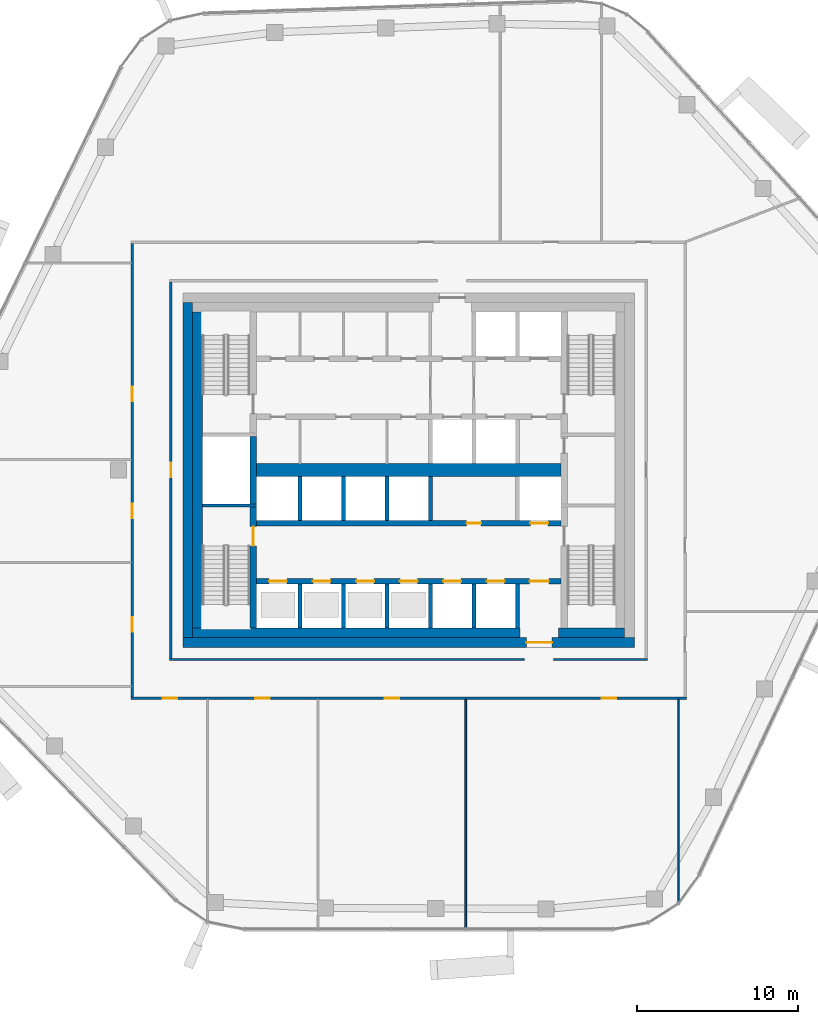
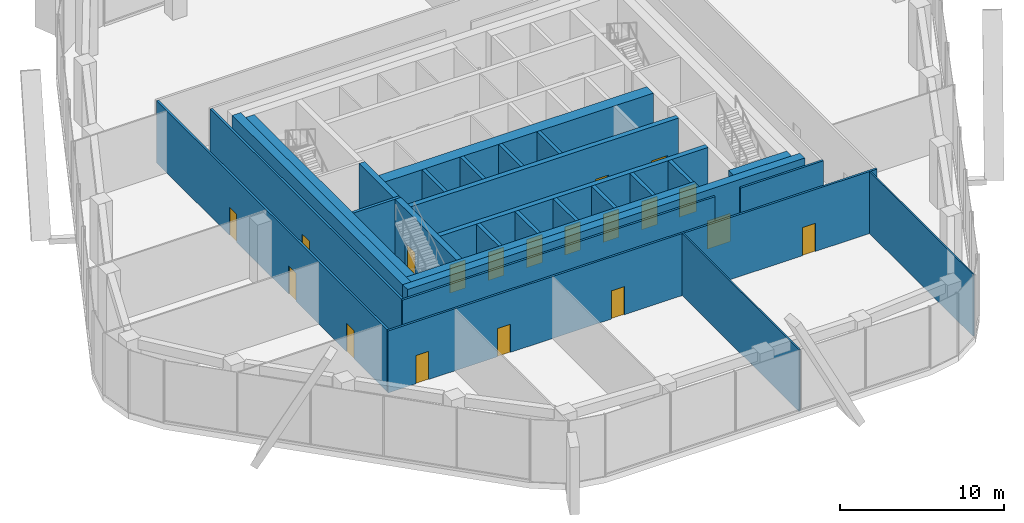
# One storey, part 10 of 20: 28 walls, 19 doors, 19 openings.
"""IFC4 building model written with IfcOpenShell, lengths in metres."""

from ifc_helpers import new_model, si_unit, direction, frame, frame_2d, origin, place, context, subcontext, project, spatial, rectangle, extrude, material, layer, layer_set, type_object, element, fill, save


model = new_model("IFC4")

# Units and contexts
model_context = context("Model", 3, precision=1e-05, world=origin(), true_north=direction((0.0, 1.0)))
body_context = subcontext(model_context, "Body", "Model", "MODEL_VIEW")
ifc_project = project(units=[si_unit("LENGTHUNIT", "METRE"), si_unit("AREAUNIT", "SQUARE_METRE"), si_unit("VOLUMEUNIT", "CUBIC_METRE"), si_unit("PLANEANGLEUNIT", "RADIAN"), si_unit("MASSUNIT", "GRAM", prefix="KILO")], contexts=[model_context])

# Site, building, storey
site_placement = place(None, origin())
site = spatial("IfcSite", under=ifc_project, at=site_placement, CompositionType="ELEMENT")
building_placement = place(site_placement, origin())
building = spatial("IfcBuilding", under=site, at=building_placement, Name="Dongbaek Canopy Tower", CompositionType="ELEMENT")
storey_placement = place(building_placement, frame((0.0, 0.0, 289.199951171875)))
storey = spatial("IfcBuildingStorey", under=building, at=storey_placement, Name="L61", CompositionType="ELEMENT", Elevation=289.199951171875)

# Wall
ifc_material_1 = material(Name="Concrete C60/75", Category="concrete")
ifc_layer_1 = layer(ifc_material_1, 0.800048828125)
ifc_layer_set_1 = layer_set([ifc_layer_1], Name="Core central wall 800 Concrete C60/75")
wall_type_1 = type_object("IfcWallType", Name="Core central wall 800 Concrete C60/75", PredefinedType="SHEAR", material=ifc_layer_set_1)
wall_1_placement = place(storey_placement, frame((-9.449951171875, 0.0, 0.0), z_axis=(0.0, 0.0, 1.0), x_axis=(1.0, 0.0, 0.0)))
element("IfcWall", 1, at=wall_1_placement, inside=storey, type_object=wall_type_1, Name="Core wall", PredefinedType="SHEAR", context=body_context, shape_type="SweptSolid", body=[
    extrude(rectangle(XDim=18.89990234375, YDim=0.800048828125, at=frame_2d((9.449951171875, 0.0))), origin(), (0.0, 0.0, 1.0), 4.6201171875),
])

# Wall, openings, doors
ifc_material_2 = material(Name="Concrete C60/75", Category="concrete")
ifc_layer_2 = layer(ifc_material_2, 0.35009765625)
ifc_layer_set_2 = layer_set([ifc_layer_2], Name="Core lobby wall 350 Concrete C60/75")
wall_type_2 = type_object("IfcWallType", Name="Core lobby wall 350 Concrete C60/75", PredefinedType="SHEAR", material=ifc_layer_set_2)
wall_2_placement = place(storey_placement, frame((-9.449951171875, -3.300048828125, 0.0), z_axis=(0.0, 0.0, 1.0), x_axis=(1.0, 0.0, 0.0)))
wall_2 = element("IfcWall", 2, at=wall_2_placement, inside=storey, type_object=wall_type_2, Name="Core wall", PredefinedType="SHEAR", context=body_context, shape_type="SweptSolid", body=[
    extrude(rectangle(XDim=18.89990234375, YDim=0.35009765625, at=frame_2d((9.449951171875, 0.0))), origin(), (0.0, 0.0, 1.0), 4.6201171875),
])
opening_1_placement = place(wall_2_placement, frame((17.0, 0.0, 0.0)))
opening_1 = element("IfcOpeningElement", 3, at=opening_1_placement, cuts=wall_2, Name="Opening L61-D023", PredefinedType="OPENING", context=body_context, shape_type="SweptSolid", body=[
    extrude(rectangle(XDim=1.10009765625, YDim=2.10009765625, at=frame_2d((0.550048828125, 1.050048828125))), frame((0.0, 0.18505859375, 0.0), z_axis=(0.0, -1.0, 0.0), x_axis=(1.0, 0.0, 0.0)), (0.0, 0.0, 1.0), 0.3701171875),
])
opening_2_placement = place(wall_2_placement, frame((13.050048828125, 0.0, 0.0)))
opening_2 = element("IfcOpeningElement", 4, at=opening_2_placement, cuts=wall_2, Name="Opening L61-D039", PredefinedType="OPENING", context=body_context, shape_type="SweptSolid", body=[
    extrude(rectangle(XDim=0.89990234375, YDim=2.10009765625, at=frame_2d((0.449951171875, 1.050048828125))), frame((0.0, 0.18505859375, 0.0), z_axis=(0.0, -1.0, 0.0), x_axis=(1.0, 0.0, 0.0)), (0.0, 0.0, 1.0), 0.3701171875),
])
ifc_material_3 = material(Name="Steel", Category="steel")
door_type_1 = type_object("IfcDoorType", Name="Core room door 900 x 2100", OperationType="SINGLE_SWING_LEFT", PredefinedType="DOOR", material=ifc_material_3)
door_1_placement = place(opening_2_placement, origin())
door_1 = element("IfcDoor", 5, at=door_1_placement, inside=storey, type_object=door_type_1, Name="Door L61-D039", OperationType="SINGLE_SWING_LEFT", OverallHeight=2.10009765625, OverallWidth=0.89990234375, PredefinedType="DOOR", context=body_context, shape_type="SweptSolid", body=[
    extrude(rectangle(XDim=0.89990234375, YDim=2.10009765625, at=frame_2d((0.449951171875, 1.050048828125))), frame((0.0, 0.02490234375, 0.0), z_axis=(0.0, -1.0, 0.0), x_axis=(1.0, 0.0, 0.0)), (0.0, 0.0, 1.0), 0.050048828125),
])
fill(opening_2, door_1)
ifc_material_4 = material(Name="Stainless steel", Category="steel")
door_type_2 = type_object("IfcDoorType", Name="Lift landing door 1100 x 2100", OperationType="DOUBLE_DOOR_SLIDING", PredefinedType="DOOR", material=ifc_material_4)
door_2_placement = place(opening_1_placement, origin())
door_2 = element("IfcDoor", 6, at=door_2_placement, inside=storey, type_object=door_type_2, Name="Landing door SV2", OperationType="DOUBLE_DOOR_SLIDING", OverallHeight=2.10009765625, OverallWidth=1.10009765625, PredefinedType="DOOR", context=body_context, shape_type="SweptSolid", body=[
    extrude(rectangle(XDim=1.10009765625, YDim=2.10009765625, at=frame_2d((0.550048828125, 1.050048828125))), frame((0.0, 0.02490234375, 0.0), z_axis=(0.0, -1.0, 0.0), x_axis=(1.0, 0.0, 0.0)), (0.0, 0.0, 1.0), 0.050048828125),
])
fill(opening_1, door_2)

wall_3_placement = place(storey_placement, frame((9.449951171875, -6.89990234375, 0.0), z_axis=(0.0, 0.0, 1.0), x_axis=(-1.0, 0.0, 0.0)))
wall_3 = element("IfcWall", 7, at=wall_3_placement, inside=storey, type_object=wall_type_2, Name="Core wall", PredefinedType="SHEAR", context=body_context, shape_type="SweptSolid", body=[
    extrude(rectangle(XDim=18.89990234375, YDim=0.35009765625, at=frame_2d((9.449951171875, 0.0))), origin(), (0.0, 0.0, 1.0), 4.6201171875),
])
opening_3_placement = place(wall_3_placement, frame((17.0, 0.0, 0.0)))
opening_3 = element("IfcOpeningElement", 8, at=opening_3_placement, cuts=wall_3, Name="Opening L61-D024", PredefinedType="OPENING", context=body_context, shape_type="SweptSolid", body=[
    extrude(rectangle(XDim=1.10009765625, YDim=2.10009765625, at=frame_2d((0.550048828125, 1.050048828125))), frame((0.0, 0.18505859375, 0.0), z_axis=(0.0, -1.0, 0.0), x_axis=(1.0, 0.0, 0.0)), (0.0, 0.0, 1.0), 0.3701171875),
])
opening_4_placement = place(wall_3_placement, frame((14.300048828125, 0.0, 0.0)))
opening_4 = element("IfcOpeningElement", 9, at=opening_4_placement, cuts=wall_3, Name="Opening L61-D025", PredefinedType="OPENING", context=body_context, shape_type="SweptSolid", body=[
    extrude(rectangle(XDim=1.10009765625, YDim=2.10009765625, at=frame_2d((0.550048828125, 1.050048828125))), frame((0.0, 0.18505859375, 0.0), z_axis=(0.0, -1.0, 0.0), x_axis=(1.0, 0.0, 0.0)), (0.0, 0.0, 1.0), 0.3701171875),
])
opening_5_placement = place(wall_3_placement, frame((11.60009765625, 0.0, 0.0)))
opening_5 = element("IfcOpeningElement", 10, at=opening_5_placement, cuts=wall_3, Name="Opening L61-D026", PredefinedType="OPENING", context=body_context, shape_type="SweptSolid", body=[
    extrude(rectangle(XDim=1.10009765625, YDim=2.10009765625, at=frame_2d((0.550048828125, 1.050048828125))), frame((0.0, 0.18505859375, 0.0), z_axis=(0.0, -1.0, 0.0), x_axis=(1.0, 0.0, 0.0)), (0.0, 0.0, 1.0), 0.3701171875),
])
opening_6_placement = place(wall_3_placement, frame((8.89990234375, 0.0, 0.0)))
opening_6 = element("IfcOpeningElement", 11, at=opening_6_placement, cuts=wall_3, Name="Opening L61-D027", PredefinedType="OPENING", context=body_context, shape_type="SweptSolid", body=[
    extrude(rectangle(XDim=1.10009765625, YDim=2.10009765625, at=frame_2d((0.550048828125, 1.050048828125))), frame((0.0, 0.18505859375, 0.0), z_axis=(0.0, -1.0, 0.0), x_axis=(1.0, 0.0, 0.0)), (0.0, 0.0, 1.0), 0.3701171875),
])
opening_7_placement = place(wall_3_placement, frame((6.199951171875, 0.0, 0.0)))
opening_7 = element("IfcOpeningElement", 12, at=opening_7_placement, cuts=wall_3, Name="Opening L61-D028", PredefinedType="OPENING", context=body_context, shape_type="SweptSolid", body=[
    extrude(rectangle(XDim=1.10009765625, YDim=2.10009765625, at=frame_2d((0.550048828125, 1.050048828125))), frame((0.0, 0.18505859375, 0.0), z_axis=(0.0, -1.0, 0.0), x_axis=(1.0, 0.0, 0.0)), (0.0, 0.0, 1.0), 0.3701171875),
])
opening_8_placement = place(wall_3_placement, frame((3.5, 0.0, 0.0)))
opening_8 = element("IfcOpeningElement", 13, at=opening_8_placement, cuts=wall_3, Name="Opening L61-D029", PredefinedType="OPENING", context=body_context, shape_type="SweptSolid", body=[
    extrude(rectangle(XDim=1.10009765625, YDim=2.10009765625, at=frame_2d((0.550048828125, 1.050048828125))), frame((0.0, 0.18505859375, 0.0), z_axis=(0.0, -1.0, 0.0), x_axis=(1.0, 0.0, 0.0)), (0.0, 0.0, 1.0), 0.3701171875),
])
opening_9_placement = place(wall_3_placement, frame((0.75, 0.0, 0.0)))
opening_9 = element("IfcOpeningElement", 14, at=opening_9_placement, cuts=wall_3, Name="Opening L61-D031", PredefinedType="OPENING", context=body_context, shape_type="SweptSolid", body=[
    extrude(rectangle(XDim=1.199951171875, YDim=2.10009765625, at=frame_2d((0.60009765625, 1.050048828125))), frame((0.0, 0.18505859375, 0.0), z_axis=(0.0, -1.0, 0.0), x_axis=(1.0, 0.0, 0.0)), (0.0, 0.0, 1.0), 0.3701171875),
])
ifc_material_5 = material(Name="Steel", Category="steel")
door_type_3 = type_object("IfcDoorType", Name="Fire lobby door 1200 x 2100", OperationType="SINGLE_SWING_LEFT", PredefinedType="DOOR", material=ifc_material_5)
door_3_placement = place(opening_9_placement, origin())
door_3 = element("IfcDoor", 15, at=door_3_placement, inside=storey, type_object=door_type_3, Name="Door L61-D031", OperationType="SINGLE_SWING_LEFT", OverallHeight=2.10009765625, OverallWidth=1.199951171875, PredefinedType="DOOR", context=body_context, shape_type="SweptSolid", body=[
    extrude(rectangle(XDim=1.199951171875, YDim=2.10009765625, at=frame_2d((0.60009765625, 1.050048828125))), frame((0.0, 0.02490234375, 0.0), z_axis=(0.0, -1.0, 0.0), x_axis=(1.0, 0.0, 0.0)), (0.0, 0.0, 1.0), 0.050048828125),
])
fill(opening_9, door_3)
door_4_placement = place(opening_3_placement, origin())
door_4 = element("IfcDoor", 16, at=door_4_placement, inside=storey, type_object=door_type_2, Name="Landing door HR1", OperationType="DOUBLE_DOOR_SLIDING", OverallHeight=2.10009765625, OverallWidth=1.10009765625, PredefinedType="DOOR", context=body_context, shape_type="SweptSolid", body=[
    extrude(rectangle(XDim=1.10009765625, YDim=2.10009765625, at=frame_2d((0.550048828125, 1.050048828125))), frame((0.0, 0.02490234375, 0.0), z_axis=(0.0, -1.0, 0.0), x_axis=(1.0, 0.0, 0.0)), (0.0, 0.0, 1.0), 0.050048828125),
])
fill(opening_3, door_4)
door_5_placement = place(opening_4_placement, origin())
door_5 = element("IfcDoor", 17, at=door_5_placement, inside=storey, type_object=door_type_2, Name="Landing door HR2", OperationType="DOUBLE_DOOR_SLIDING", OverallHeight=2.10009765625, OverallWidth=1.10009765625, PredefinedType="DOOR", context=body_context, shape_type="SweptSolid", body=[
    extrude(rectangle(XDim=1.10009765625, YDim=2.10009765625, at=frame_2d((0.550048828125, 1.050048828125))), frame((0.0, 0.02490234375, 0.0), z_axis=(0.0, -1.0, 0.0), x_axis=(1.0, 0.0, 0.0)), (0.0, 0.0, 1.0), 0.050048828125),
])
fill(opening_4, door_5)
door_6_placement = place(opening_5_placement, origin())
door_6 = element("IfcDoor", 18, at=door_6_placement, inside=storey, type_object=door_type_2, Name="Landing door HR3", OperationType="DOUBLE_DOOR_SLIDING", OverallHeight=2.10009765625, OverallWidth=1.10009765625, PredefinedType="DOOR", context=body_context, shape_type="SweptSolid", body=[
    extrude(rectangle(XDim=1.10009765625, YDim=2.10009765625, at=frame_2d((0.550048828125, 1.050048828125))), frame((0.0, 0.02490234375, 0.0), z_axis=(0.0, -1.0, 0.0), x_axis=(1.0, 0.0, 0.0)), (0.0, 0.0, 1.0), 0.050048828125),
])
fill(opening_5, door_6)
door_7_placement = place(opening_6_placement, origin())
door_7 = element("IfcDoor", 19, at=door_7_placement, inside=storey, type_object=door_type_2, Name="Landing door HR4", OperationType="DOUBLE_DOOR_SLIDING", OverallHeight=2.10009765625, OverallWidth=1.10009765625, PredefinedType="DOOR", context=body_context, shape_type="SweptSolid", body=[
    extrude(rectangle(XDim=1.10009765625, YDim=2.10009765625, at=frame_2d((0.550048828125, 1.050048828125))), frame((0.0, 0.02490234375, 0.0), z_axis=(0.0, -1.0, 0.0), x_axis=(1.0, 0.0, 0.0)), (0.0, 0.0, 1.0), 0.050048828125),
])
fill(opening_6, door_7)
door_8_placement = place(opening_7_placement, origin())
door_8 = element("IfcDoor", 20, at=door_8_placement, inside=storey, type_object=door_type_2, Name="Landing door SH3", OperationType="DOUBLE_DOOR_SLIDING", OverallHeight=2.10009765625, OverallWidth=1.10009765625, PredefinedType="DOOR", context=body_context, shape_type="SweptSolid", body=[
    extrude(rectangle(XDim=1.10009765625, YDim=2.10009765625, at=frame_2d((0.550048828125, 1.050048828125))), frame((0.0, 0.02490234375, 0.0), z_axis=(0.0, -1.0, 0.0), x_axis=(1.0, 0.0, 0.0)), (0.0, 0.0, 1.0), 0.050048828125),
])
fill(opening_7, door_8)
door_9_placement = place(opening_8_placement, origin())
door_9 = element("IfcDoor", 21, at=door_9_placement, inside=storey, type_object=door_type_2, Name="Landing door SH4", OperationType="DOUBLE_DOOR_SLIDING", OverallHeight=2.10009765625, OverallWidth=1.10009765625, PredefinedType="DOOR", context=body_context, shape_type="SweptSolid", body=[
    extrude(rectangle(XDim=1.10009765625, YDim=2.10009765625, at=frame_2d((0.550048828125, 1.050048828125))), frame((0.0, 0.02490234375, 0.0), z_axis=(0.0, -1.0, 0.0), x_axis=(1.0, 0.0, 0.0)), (0.0, 0.0, 1.0), 0.050048828125),
])
fill(opening_8, door_9)

# Wall, opening, door
ifc_material_6 = material(Name="Concrete C80/95", Category="concrete")
ifc_layer_3 = layer(ifc_material_6, 0.60009765625)
ifc_layer_set_3 = layer_set([ifc_layer_3], Name="Core outer wall 600 Concrete C80/95")
wall_type_3 = type_object("IfcWallType", Name="Core outer wall 600 Concrete C80/95", PredefinedType="SHEAR", material=ifc_layer_set_3)
wall_4_placement = place(storey_placement, frame((14.0, -10.699951171875, 0.0), z_axis=(0.0, 0.0, 1.0), x_axis=(-1.0, 0.0, 0.0)))
wall_4 = element("IfcWall", 22, at=wall_4_placement, inside=storey, type_object=wall_type_3, Name="Core wall", PredefinedType="SHEAR", context=body_context, shape_type="SweptSolid", body=[
    extrude(rectangle(XDim=28.0, YDim=0.60009765625, at=frame_2d((14.0, 0.0))), origin(), (0.0, 0.0, 1.0), 4.6201171875),
])
opening_10_placement = place(wall_4_placement, frame((5.10009765625, 0.0, 0.0)))
opening_10 = element("IfcOpeningElement", 23, at=opening_10_placement, cuts=wall_4, Name="Opening L61-D030", PredefinedType="OPENING", context=body_context, shape_type="SweptSolid", body=[
    extrude(rectangle(XDim=1.60009765625, YDim=2.10009765625, at=frame_2d((0.800048828125, 1.050048828125))), frame((0.0, 0.31005859375, 0.0), z_axis=(0.0, -1.0, 0.0), x_axis=(1.0, 0.0, 0.0)), (0.0, 0.0, 1.0), 0.6201171875),
])
ifc_material_7 = material(Name="Steel", Category="steel")
door_type_4 = type_object("IfcDoorType", Name="Core exit door 1600 x 2100", OperationType="DOUBLE_DOOR_SINGLE_SWING", PredefinedType="DOOR", material=ifc_material_7)
door_10_placement = place(opening_10_placement, origin())
door_10 = element("IfcDoor", 24, at=door_10_placement, inside=storey, type_object=door_type_4, Name="Core exit door", OperationType="DOUBLE_DOOR_SINGLE_SWING", OverallHeight=2.10009765625, OverallWidth=1.60009765625, PredefinedType="DOOR", context=body_context, shape_type="SweptSolid", body=[
    extrude(rectangle(XDim=1.60009765625, YDim=2.10009765625, at=frame_2d((0.800048828125, 1.050048828125))), frame((0.0, 0.02490234375, 0.0), z_axis=(0.0, -1.0, 0.0), x_axis=(1.0, 0.0, 0.0)), (0.0, 0.0, 1.0), 0.050048828125),
])
fill(opening_10, door_10)

# Walls
wall_5_placement = place(storey_placement, frame((-13.699951171875, -10.39990234375, 0.0), z_axis=(0.0, 0.0, 1.0), x_axis=(0.0, 1.0, 0.0)))
element("IfcWall", 25, at=wall_5_placement, inside=storey, type_object=wall_type_3, Name="Core wall", PredefinedType="SHEAR", context=body_context, shape_type="SweptSolid", body=[
    extrude(rectangle(XDim=20.7998046875, YDim=0.60009765625, at=frame_2d((10.39990234375, 0.0))), origin(), (0.0, 0.0, 1.0), 4.6201171875),
])
ifc_material_8 = material(Name="Concrete C60/75", Category="concrete")
ifc_layer_4 = layer(ifc_material_8, 0.60009765625)
ifc_layer_set_4 = layer_set([ifc_layer_4], Name="Core wall lining 600 Concrete C60/75")
wall_type_4 = type_object("IfcWallType", Name="Core wall lining 600 Concrete C60/75", PredefinedType="SHEAR", material=ifc_layer_set_4)
wall_6_placement = place(storey_placement, frame((13.39990234375, -10.10009765625, 0.0), z_axis=(0.0, 0.0, 1.0), x_axis=(-1.0, 0.0, 0.0)))
element("IfcWall", 26, at=wall_6_placement, inside=storey, type_object=wall_type_4, Name="Core wall lining", PredefinedType="SHEAR", context=body_context, shape_type="SweptSolid", body=[
    extrude(rectangle(XDim=4.099853515625, YDim=0.60009765625, at=frame_2d((2.0498046875, 0.0))), origin(), (0.0, 0.0, 1.0), 4.6201171875),
])
wall_7_placement = place(storey_placement, frame((6.89990234375, -10.10009765625, 0.0), z_axis=(0.0, 0.0, 1.0), x_axis=(-1.0, 0.0, 0.0)))
element("IfcWall", 27, at=wall_7_placement, inside=storey, type_object=wall_type_4, Name="Core wall lining", PredefinedType="SHEAR", context=body_context, shape_type="SweptSolid", body=[
    extrude(rectangle(XDim=20.2998046875, YDim=0.60009765625, at=frame_2d((10.14990234375, 0.0))), origin(), (0.0, 0.0, 1.0), 4.6201171875),
])
wall_8_placement = place(storey_placement, frame((-13.10009765625, -9.800048828125, 0.0), z_axis=(0.0, 0.0, 1.0), x_axis=(0.0, 1.0, 0.0)))
element("IfcWall", 28, at=wall_8_placement, inside=storey, type_object=wall_type_4, Name="Core wall lining", PredefinedType="SHEAR", context=body_context, shape_type="SweptSolid", body=[
    extrude(rectangle(XDim=19.60009765625, YDim=0.60009765625, at=frame_2d((9.800048828125, 0.0))), origin(), (0.0, 0.0, 1.0), 4.6201171875),
])

# Wall, openings, doors
ifc_material_9 = material(Name="Gypsum board partition, steel stud, 2 x 15 mm fire board", Category="steel")
ifc_layer_5 = layer(ifc_material_9, 0.14990234375)
ifc_layer_set_5 = layer_set([ifc_layer_5], Name="Fire-rated partition 150 gypsum board")
wall_type_5 = type_object("IfcWallType", Name="Fire-rated partition 150 gypsum board", PredefinedType="PARTITIONING", material=ifc_layer_set_5)
wall_9_placement = place(storey_placement, frame((17.22509765625, -14.14990234375, 0.0), z_axis=(0.0, 0.0, 1.0), x_axis=(-1.0, 0.0, 0.0)))
wall_9 = element("IfcWall", 29, at=wall_9_placement, inside=storey, type_object=wall_type_5, Name="Corridor partition", PredefinedType="PARTITIONING", context=body_context, shape_type="SweptSolid", body=[
    extrude(rectangle(XDim=34.4501953125, YDim=0.14990234375, at=frame_2d((17.22509765625, 0.0))), origin(), (0.0, 0.0, 1.0), 4.6201171875),
])
opening_11_placement = place(wall_9_placement, frame((31.59619140625, 0.0, 0.0)))
opening_11 = element("IfcOpeningElement", 30, at=opening_11_placement, cuts=wall_9, Name="Opening L61-D003", PredefinedType="OPENING", context=body_context, shape_type="SweptSolid", body=[
    extrude(rectangle(XDim=0.89990234375, YDim=2.10009765625, at=frame_2d((0.449951171875, 1.050048828125))), frame((0.0, 0.0849609375, 0.0), z_axis=(0.0, -1.0, 0.0), x_axis=(1.0, 0.0, 0.0)), (0.0, 0.0, 1.0), 0.169921875),
])
opening_12_placement = place(wall_9_placement, frame((25.831787109375, 0.0, 0.0)))
opening_12 = element("IfcOpeningElement", 31, at=opening_12_placement, cuts=wall_9, Name="Opening L61-D004", PredefinedType="OPENING", context=body_context, shape_type="SweptSolid", body=[
    extrude(rectangle(XDim=0.89990234375, YDim=2.10009765625, at=frame_2d((0.449951171875, 1.050048828125))), frame((0.0, 0.0849609375, 0.0), z_axis=(0.0, -1.0, 0.0), x_axis=(1.0, 0.0, 0.0)), (0.0, 0.0, 1.0), 0.169921875),
])
opening_13_placement = place(wall_9_placement, frame((17.814697265625, 0.0, 0.0)))
opening_13 = element("IfcOpeningElement", 32, at=opening_13_placement, cuts=wall_9, Name="Opening L61-D005", PredefinedType="OPENING", context=body_context, shape_type="SweptSolid", body=[
    extrude(rectangle(XDim=0.89990234375, YDim=2.10009765625, at=frame_2d((0.449951171875, 1.050048828125))), frame((0.0, 0.0849609375, 0.0), z_axis=(0.0, -1.0, 0.0), x_axis=(1.0, 0.0, 0.0)), (0.0, 0.0, 1.0), 0.169921875),
])
opening_14_placement = place(wall_9_placement, frame((4.343994140625, 0.0, 0.0)))
opening_14 = element("IfcOpeningElement", 33, at=opening_14_placement, cuts=wall_9, Name="Opening L61-D006", PredefinedType="OPENING", context=body_context, shape_type="SweptSolid", body=[
    extrude(rectangle(XDim=0.89990234375, YDim=2.10009765625, at=frame_2d((0.449951171875, 1.050048828125))), frame((0.0, 0.0849609375, 0.0), z_axis=(0.0, -1.0, 0.0), x_axis=(1.0, 0.0, 0.0)), (0.0, 0.0, 1.0), 0.169921875),
])
ifc_material_10 = material(Name="Timber veneered door leaf", Category="wood")
door_type_5 = type_object("IfcDoorType", Name="Room door 900 x 2100", OperationType="SINGLE_SWING_LEFT", PredefinedType="DOOR", material=ifc_material_10)
door_11_placement = place(opening_11_placement, origin())
door_11 = element("IfcDoor", 34, at=door_11_placement, inside=storey, type_object=door_type_5, Name="Door L61-D003", OperationType="SINGLE_SWING_RIGHT", OverallHeight=2.10009765625, OverallWidth=0.89990234375, PredefinedType="DOOR", context=body_context, shape_type="SweptSolid", body=[
    extrude(rectangle(XDim=0.89990234375, YDim=2.10009765625, at=frame_2d((0.449951171875, 1.050048828125))), frame((0.0, 0.02490234375, 0.0), z_axis=(0.0, -1.0, 0.0), x_axis=(1.0, 0.0, 0.0)), (0.0, 0.0, 1.0), 0.050048828125),
])
fill(opening_11, door_11)
door_12_placement = place(opening_12_placement, origin())
door_12 = element("IfcDoor", 35, at=door_12_placement, inside=storey, type_object=door_type_5, Name="Door L61-D004", OperationType="SINGLE_SWING_LEFT", OverallHeight=2.10009765625, OverallWidth=0.89990234375, PredefinedType="DOOR", context=body_context, shape_type="SweptSolid", body=[
    extrude(rectangle(XDim=0.89990234375, YDim=2.10009765625, at=frame_2d((0.449951171875, 1.050048828125))), frame((0.0, 0.02490234375, 0.0), z_axis=(0.0, -1.0, 0.0), x_axis=(1.0, 0.0, 0.0)), (0.0, 0.0, 1.0), 0.050048828125),
])
fill(opening_12, door_12)
door_13_placement = place(opening_13_placement, origin())
door_13 = element("IfcDoor", 36, at=door_13_placement, inside=storey, type_object=door_type_5, Name="Door L61-D005", OperationType="SINGLE_SWING_RIGHT", OverallHeight=2.10009765625, OverallWidth=0.89990234375, PredefinedType="DOOR", context=body_context, shape_type="SweptSolid", body=[
    extrude(rectangle(XDim=0.89990234375, YDim=2.10009765625, at=frame_2d((0.449951171875, 1.050048828125))), frame((0.0, 0.02490234375, 0.0), z_axis=(0.0, -1.0, 0.0), x_axis=(1.0, 0.0, 0.0)), (0.0, 0.0, 1.0), 0.050048828125),
])
fill(opening_13, door_13)
door_14_placement = place(opening_14_placement, origin())
door_14 = element("IfcDoor", 37, at=door_14_placement, inside=storey, type_object=door_type_5, Name="Door L61-D006", OperationType="SINGLE_SWING_LEFT", OverallHeight=2.10009765625, OverallWidth=0.89990234375, PredefinedType="DOOR", context=body_context, shape_type="SweptSolid", body=[
    extrude(rectangle(XDim=0.89990234375, YDim=2.10009765625, at=frame_2d((0.449951171875, 1.050048828125))), frame((0.0, 0.02490234375, 0.0), z_axis=(0.0, -1.0, 0.0), x_axis=(1.0, 0.0, 0.0)), (0.0, 0.0, 1.0), 0.050048828125),
])
fill(opening_14, door_14)

# Walls
wall_10_placement = place(storey_placement, frame((-14.824951171875, -11.75, 0.0), z_axis=(0.0, 0.0, 1.0), x_axis=(1.0, 0.0, 0.0)))
element("IfcWall", 38, at=wall_10_placement, inside=storey, type_object=wall_type_5, Name="Corridor partition", PredefinedType="PARTITIONING", context=body_context, shape_type="SweptSolid", body=[
    extrude(rectangle(XDim=22.02490234375, YDim=0.14990234375, at=frame_2d((11.012451171875, 0.0))), origin(), (0.0, 0.0, 1.0), 4.6201171875),
])
wall_11_placement = place(storey_placement, frame((9.0, -11.75, 0.0), z_axis=(0.0, 0.0, 1.0), x_axis=(1.0, 0.0, 0.0)))
element("IfcWall", 39, at=wall_11_placement, inside=storey, type_object=wall_type_5, Name="Corridor partition", PredefinedType="PARTITIONING", context=body_context, shape_type="SweptSolid", body=[
    extrude(rectangle(XDim=5.824951171875, YDim=0.14990234375, at=frame_2d((2.91259765625, 0.0))), origin(), (0.0, 0.0, 1.0), 4.6201171875),
])

# Wall, opening, door
wall_12_placement = place(storey_placement, frame((-14.75, 11.675048828125, 0.0), z_axis=(0.0, 0.0, 1.0), x_axis=(0.0, -1.0, 0.0)))
wall_12 = element("IfcWall", 40, at=wall_12_placement, inside=storey, type_object=wall_type_5, Name="Corridor partition", PredefinedType="PARTITIONING", context=body_context, shape_type="SweptSolid", body=[
    extrude(rectangle(XDim=23.35009765625, YDim=0.14990234375, at=frame_2d((11.675048828125, 0.0))), origin(), (0.0, 0.0, 1.0), 4.6201171875),
])
opening_15_placement = place(wall_12_placement, frame((11.22509765625, 0.0, 0.0)))
opening_15 = element("IfcOpeningElement", 41, at=opening_15_placement, cuts=wall_12, Name="Opening L61-D013", PredefinedType="OPENING", context=body_context, shape_type="SweptSolid", body=[
    extrude(rectangle(XDim=0.89990234375, YDim=2.10009765625, at=frame_2d((0.449951171875, 1.050048828125))), frame((0.0, 0.0849609375, 0.0), z_axis=(0.0, -1.0, 0.0), x_axis=(1.0, 0.0, 0.0)), (0.0, 0.0, 1.0), 0.169921875),
])
door_15_placement = place(opening_15_placement, origin())
door_15 = element("IfcDoor", 42, at=door_15_placement, inside=storey, type_object=door_type_5, Name="Door L61-D013", OperationType="SINGLE_SWING_RIGHT", OverallHeight=2.10009765625, OverallWidth=0.89990234375, PredefinedType="DOOR", context=body_context, shape_type="SweptSolid", body=[
    extrude(rectangle(XDim=0.89990234375, YDim=2.10009765625, at=frame_2d((0.449951171875, 1.050048828125))), frame((0.0, 0.02490234375, 0.0), z_axis=(0.0, -1.0, 0.0), x_axis=(1.0, 0.0, 0.0)), (0.0, 0.0, 1.0), 0.050048828125),
])
fill(opening_15, door_15)

# Wall, openings, doors
wall_13_placement = place(storey_placement, frame((-17.14990234375, -14.074951171875, 0.0), z_axis=(0.0, 0.0, 1.0), x_axis=(0.0, 1.0, 0.0)))
wall_13 = element("IfcWall", 43, at=wall_13_placement, inside=storey, type_object=wall_type_5, Name="Corridor partition", PredefinedType="PARTITIONING", context=body_context, shape_type="SweptSolid", body=[
    extrude(rectangle(XDim=28.14990234375, YDim=0.14990234375, at=frame_2d((14.074951171875, 0.0))), origin(), (0.0, 0.0, 1.0), 4.6201171875),
])
opening_16_placement = place(wall_13_placement, frame((11.09423828125, 0.0, 0.0)))
opening_16 = element("IfcOpeningElement", 44, at=opening_16_placement, cuts=wall_13, Name="Opening L61-D001", PredefinedType="OPENING", context=body_context, shape_type="SweptSolid", body=[
    extrude(rectangle(XDim=0.89990234375, YDim=2.10009765625, at=frame_2d((0.449951171875, 1.050048828125))), frame((0.0, 0.0849609375, 0.0), z_axis=(0.0, -1.0, 0.0), x_axis=(1.0, 0.0, 0.0)), (0.0, 0.0, 1.0), 0.169921875),
])
opening_17_placement = place(wall_13_placement, frame((4.048583984375, 0.0, 0.0)))
opening_17 = element("IfcOpeningElement", 45, at=opening_17_placement, cuts=wall_13, Name="Opening L61-D002", PredefinedType="OPENING", context=body_context, shape_type="SweptSolid", body=[
    extrude(rectangle(XDim=0.89990234375, YDim=2.10009765625, at=frame_2d((0.449951171875, 1.050048828125))), frame((0.0, 0.0849609375, 0.0), z_axis=(0.0, -1.0, 0.0), x_axis=(1.0, 0.0, 0.0)), (0.0, 0.0, 1.0), 0.169921875),
])
opening_18_placement = place(wall_13_placement, frame((18.347412109375, 0.0, 0.0)))
opening_18 = element("IfcOpeningElement", 46, at=opening_18_placement, cuts=wall_13, Name="Opening L61-D012", PredefinedType="OPENING", context=body_context, shape_type="SweptSolid", body=[
    extrude(rectangle(XDim=0.89990234375, YDim=2.10009765625, at=frame_2d((0.449951171875, 1.050048828125))), frame((0.0, 0.0849609375, 0.0), z_axis=(0.0, -1.0, 0.0), x_axis=(1.0, 0.0, 0.0)), (0.0, 0.0, 1.0), 0.169921875),
])
door_16_placement = place(opening_16_placement, origin())
door_16 = element("IfcDoor", 47, at=door_16_placement, inside=storey, type_object=door_type_5, Name="Door L61-D001", OperationType="SINGLE_SWING_RIGHT", OverallHeight=2.10009765625, OverallWidth=0.89990234375, PredefinedType="DOOR", context=body_context, shape_type="SweptSolid", body=[
    extrude(rectangle(XDim=0.89990234375, YDim=2.10009765625, at=frame_2d((0.449951171875, 1.050048828125))), frame((0.0, 0.02490234375, 0.0), z_axis=(0.0, -1.0, 0.0), x_axis=(1.0, 0.0, 0.0)), (0.0, 0.0, 1.0), 0.050048828125),
])
fill(opening_16, door_16)
door_17_placement = place(opening_17_placement, origin())
door_17 = element("IfcDoor", 48, at=door_17_placement, inside=storey, type_object=door_type_5, Name="Door L61-D002", OperationType="SINGLE_SWING_LEFT", OverallHeight=2.10009765625, OverallWidth=0.89990234375, PredefinedType="DOOR", context=body_context, shape_type="SweptSolid", body=[
    extrude(rectangle(XDim=0.89990234375, YDim=2.10009765625, at=frame_2d((0.449951171875, 1.050048828125))), frame((0.0, 0.02490234375, 0.0), z_axis=(0.0, -1.0, 0.0), x_axis=(1.0, 0.0, 0.0)), (0.0, 0.0, 1.0), 0.050048828125),
])
fill(opening_17, door_17)
door_18_placement = place(opening_18_placement, origin())
door_18 = element("IfcDoor", 49, at=door_18_placement, inside=storey, type_object=door_type_5, Name="Door L61-D012", OperationType="SINGLE_SWING_LEFT", OverallHeight=2.10009765625, OverallWidth=0.89990234375, PredefinedType="DOOR", context=body_context, shape_type="SweptSolid", body=[
    extrude(rectangle(XDim=0.89990234375, YDim=2.10009765625, at=frame_2d((0.449951171875, 1.050048828125))), frame((0.0, 0.02490234375, 0.0), z_axis=(0.0, -1.0, 0.0), x_axis=(1.0, 0.0, 0.0)), (0.0, 0.0, 1.0), 0.050048828125),
])
fill(opening_18, door_18)

# Walls
ifc_material_11 = material(Name="Concrete C40/50", Category="concrete")
ifc_layer_6 = layer(ifc_material_11, 0.25)
ifc_layer_set_6 = layer_set([ifc_layer_6], Name="Lift shaft wall 250 Concrete C40/50")
wall_type_6 = type_object("IfcWallType", Name="Lift shaft wall 250 Concrete C40/50", PredefinedType="SOLIDWALL", material=ifc_layer_set_6)
for number, where, z_axis, x_axis, name in (
    (50, (6.75, -9.800048828125, 0.0), (0.0, 0.0, 1.0), (0.0, 1.0, 0.0), "Lift shaft wall"),
    (51, (4.050048828125, -9.800048828125, 0.0), (0.0, 0.0, 1.0), (0.0, 1.0, 0.0), "Lift shaft wall"),
    (52, (1.35009765625, -9.800048828125, 0.0), (0.0, 0.0, 1.0), (0.0, 1.0, 0.0), "Lift shaft wall"),
    (53, (1.35009765625, -3.125, 0.0), (0.0, 0.0, 1.0), (0.0, 1.0, 0.0), "Lift shaft wall"),
    (54, (-1.35009765625, -9.800048828125, 0.0), (0.0, 0.0, 1.0), (0.0, 1.0, 0.0), "Lift shaft wall"),
    (55, (-1.35009765625, -3.125, 0.0), (0.0, 0.0, 1.0), (0.0, 1.0, 0.0), "Lift shaft wall"),
    (56, (-4.050048828125, -9.800048828125, 0.0), (0.0, 0.0, 1.0), (0.0, 1.0, 0.0), "Lift shaft wall"),
    (57, (-4.050048828125, -3.125, 0.0), (0.0, 0.0, 1.0), (0.0, 1.0, 0.0), "Lift shaft wall"),
    (58, (-6.75, -9.800048828125, 0.0), (0.0, 0.0, 1.0), (0.0, 1.0, 0.0), "Lift shaft wall"),
    (59, (-6.75, -3.125, 0.0), (0.0, 0.0, 1.0), (0.0, 1.0, 0.0), "Lift shaft wall"),
):
    element("IfcWall", number, at=place(storey_placement, frame(where, z_axis=z_axis, x_axis=x_axis)), inside=storey, type_object=wall_type_6, Name=name, PredefinedType="SOLIDWALL", context=body_context, shape_type="SweptSolid", body=[
        extrude(rectangle(XDim=2.72509765625, YDim=0.25, at=frame_2d((1.362548828125, 0.0))), origin(), (0.0, 0.0, 1.0), 4.6201171875),
    ])
ifc_material_12 = material(Name="Gypsum board partition, steel stud, 2 x 12.5 mm board", Category="steel")
ifc_layer_7 = layer(ifc_material_12, 0.10009765625)
ifc_layer_set_7 = layer_set([ifc_layer_7], Name="Partition 100 gypsum board")
wall_type_7 = type_object("IfcWallType", Name="Partition 100 gypsum board", PredefinedType="PARTITIONING", material=ifc_layer_set_7)
wall_14_placement = place(storey_placement, frame((16.739013671875, -26.8603515625, 0.0), z_axis=(0.0, 0.0, 1.0), x_axis=(0.0, 1.0, 0.0)))
element("IfcWall", 60, at=wall_14_placement, inside=storey, type_object=wall_type_7, Name="Partition", PredefinedType="PARTITIONING", context=body_context, shape_type="SweptSolid", body=[
    extrude(rectangle(XDim=12.63525390625, YDim=0.10009765625, at=frame_2d((6.317626953125, 0.0))), origin(), (0.0, 0.0, 1.0), 4.6201171875),
])
wall_15_placement = place(storey_placement, frame((3.5419921875, -28.47216796875, 0.0), z_axis=(0.0, 0.0, 1.0), x_axis=(0.0, 1.0, 0.0)))
element("IfcWall", 61, at=wall_15_placement, inside=storey, type_object=wall_type_7, Name="Partition", PredefinedType="PARTITIONING", context=body_context, shape_type="SweptSolid", body=[
    extrude(rectangle(XDim=14.2470703125, YDim=0.10009765625, at=frame_2d((7.12353515625, 0.0))), origin(), (0.0, 0.0, 1.0), 4.6201171875),
])
ifc_material_13 = material(Name="Concrete C60/75", Category="concrete")
ifc_layer_8 = layer(ifc_material_13, 0.199951171875)
ifc_layer_set_8 = layer_set([ifc_layer_8], Name="Riser wall 200 Concrete C60/75")
wall_type_8 = type_object("IfcWallType", Name="Riser wall 200 Concrete C60/75", PredefinedType="SHEAR", material=ifc_layer_set_8)
wall_16_placement = place(storey_placement, frame((-9.449951171875, -2.199951171875, 0.0), z_axis=(0.0, 0.0, 1.0), x_axis=(-1.0, 0.0, 0.0)))
element("IfcWall", 62, at=wall_16_placement, inside=storey, type_object=wall_type_8, Name="Riser wall", PredefinedType="SHEAR", context=body_context, shape_type="SweptSolid", body=[
    extrude(rectangle(XDim=3.35009765625, YDim=0.199951171875, at=frame_2d((1.675048828125, 0.0))), origin(), (0.0, 0.0, 1.0), 4.6201171875),
])

# Wall, opening, door
ifc_material_14 = material(Name="Concrete C60/75", Category="concrete")
ifc_layer_9 = layer(ifc_material_14, 0.39990234375)
ifc_layer_set_9 = layer_set([ifc_layer_9], Name="Stair wall 400 Concrete C60/75")
wall_type_9 = type_object("IfcWallType", Name="Stair wall 400 Concrete C60/75", PredefinedType="SHEAR", material=ifc_layer_set_9)
wall_17_placement = place(storey_placement, frame((-9.64990234375, -9.800048828125, 0.0), z_axis=(0.0, 0.0, 1.0), x_axis=(0.0, 1.0, 0.0)))
wall_17 = element("IfcWall", 63, at=wall_17_placement, inside=storey, type_object=wall_type_9, Name="Stair wall", PredefinedType="SHEAR", context=body_context, shape_type="SweptSolid", body=[
    extrude(rectangle(XDim=7.5, YDim=0.39990234375, at=frame_2d((3.75, 0.0))), origin(), (0.0, 0.0, 1.0), 4.6201171875),
])
opening_19_placement = place(wall_17_placement, frame((5.10009765625, 0.0, 0.0)))
opening_19 = element("IfcOpeningElement", 64, at=opening_19_placement, cuts=wall_17, Name="Opening L61-D043", PredefinedType="OPENING", context=body_context, shape_type="SweptSolid", body=[
    extrude(rectangle(XDim=1.199951171875, YDim=2.10009765625, at=frame_2d((0.60009765625, 1.050048828125))), frame((0.0, 0.2099609375, 0.0), z_axis=(0.0, -1.0, 0.0), x_axis=(1.0, 0.0, 0.0)), (0.0, 0.0, 1.0), 0.419921875),
])
ifc_material_15 = material(Name="Steel", Category="steel")
door_type_6 = type_object("IfcDoorType", Name="Stair door 1200 x 2100", OperationType="SINGLE_SWING_LEFT", PredefinedType="DOOR", material=ifc_material_15)
door_19_placement = place(opening_19_placement, origin())
door_19 = element("IfcDoor", 65, at=door_19_placement, inside=storey, type_object=door_type_6, Name="Stair D door", OperationType="SINGLE_SWING_LEFT", OverallHeight=2.10009765625, OverallWidth=1.199951171875, PredefinedType="DOOR", context=body_context, shape_type="SweptSolid", body=[
    extrude(rectangle(XDim=1.199951171875, YDim=2.10009765625, at=frame_2d((0.60009765625, 1.050048828125))), frame((0.0, 0.02490234375, 0.0), z_axis=(0.0, -1.0, 0.0), x_axis=(1.0, 0.0, 0.0)), (0.0, 0.0, 1.0), 0.050048828125),
])
fill(opening_19, door_19)

# Wall
wall_18_placement = place(storey_placement, frame((-9.64990234375, -2.10009765625, 0.0), z_axis=(0.0, 0.0, 1.0), x_axis=(0.0, 1.0, 0.0)))
element("IfcWall", 66, at=wall_18_placement, inside=storey, type_object=wall_type_9, Name="Stair wall", PredefinedType="SHEAR", context=body_context, shape_type="SweptSolid", body=[
    extrude(rectangle(XDim=4.2001953125, YDim=0.39990234375, at=frame_2d((2.10009765625, 0.0))), origin(), (0.0, 0.0, 1.0), 4.6201171875),
])

save(model, "model.ifc")
